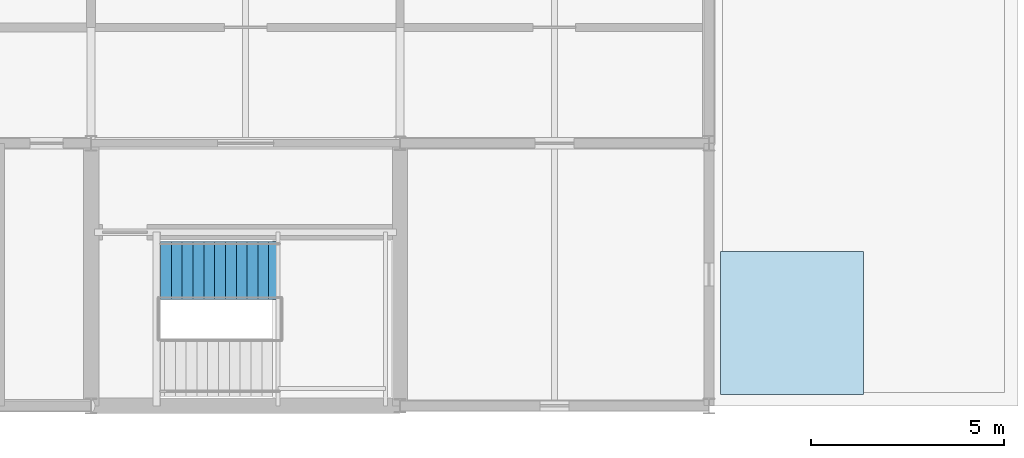
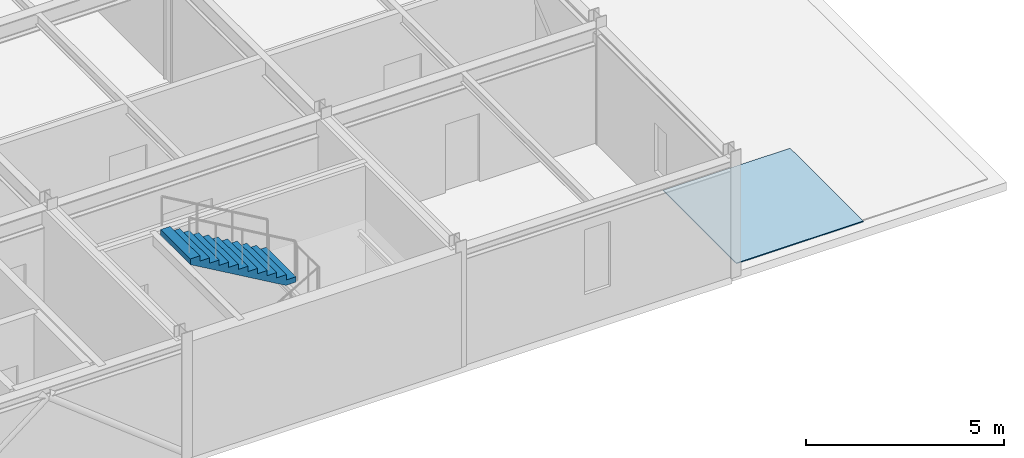
# One storey, part 11 of 12: 1 roof, 1 stair flight, 1 element without a shape of its own.
"""IFC4 building model written with IfcOpenShell, lengths in metres."""

from ifc_helpers import new_model, si_unit, direction, frame, origin, place, context, subcontext, project, spatial, polyline, outline, extrude, material, layer, layer_set, type_object, element, aggregate, save


model = new_model("IFC4")

# Units and contexts
model_context = context("Model", 3, precision=1e-05, world=origin(), true_north=direction((0.0, 1.0)))
body_context = subcontext(model_context, "Body", "Model", "MODEL_VIEW")
ifc_project = project(units=[si_unit("LENGTHUNIT", "METRE"), si_unit("AREAUNIT", "SQUARE_METRE"), si_unit("VOLUMEUNIT", "CUBIC_METRE"), si_unit("PLANEANGLEUNIT", "RADIAN"), si_unit("MASSUNIT", "GRAM", prefix="KILO")], contexts=[model_context])

# Site, building, storey
site_placement = place(None, origin())
site = spatial("IfcSite", under=ifc_project, at=site_placement, CompositionType="ELEMENT")
building_placement = place(site_placement, origin())
building = spatial("IfcBuilding", under=site, at=building_placement, Name="Shalkamar Park Central Library", CompositionType="ELEMENT")
storey_placement = place(building_placement, frame((0.0, 0.0, 56.10009765625)))
storey = spatial("IfcBuildingStorey", under=building, at=storey_placement, Name="L14", CompositionType="ELEMENT", Elevation=56.10009765625)

# Stair, stair flight
ifc_material = material(Name="Concrete C35/45", Category="concrete")
stair_type = type_object("IfcStairType", Name="Protected Dog Leg Stair 150x390", PredefinedType="TWO_STRAIGHT_RUN_STAIR", material=ifc_material)
stair_placement = place(storey_placement, origin())
stair = element("IfcStair", 1, at=stair_placement, inside=storey, type_object=stair_type, Name="Protected Core Stair ST-T2-L14", PredefinedType="TWO_STRAIGHT_RUN_STAIR")
stair_flight_type = type_object("IfcStairFlightType", Name="Straight Stair Flight 150x390", PredefinedType="STRAIGHT", material=ifc_material)
stair_flight_placement = place(storey_placement, frame((201.8798828125, 251.909912109375, 1.949951171875), z_axis=(0.0, 0.0, 1.0), x_axis=(-1.0, 0.0, 0.0)))
stair_flight = element("IfcStairFlight", 2, at=stair_flight_placement, type_object=stair_flight_type, Name="ST-T2-L14 flight 2", NumberOfRisers=12, NumberOfTreads=11, PredefinedType="STRAIGHT", RiserHeight=0.1625, TreadLength=0.28, context=body_context, shape_type="SweptSolid", body=[
    extrude(outline(polyline([(0.0, 0.0), (0.0, 0.16259765625), (0.280029296875, 0.16259765625), (0.280029296875, 0.324951171875), (0.56005859375, 0.324951171875), (0.56005859375, 0.487548828125), (0.840087890625, 0.487548828125), (0.840087890625, 0.64990234375), (1.1201171875, 0.64990234375), (1.1201171875, 0.8125), (1.39990234375, 0.8125), (1.39990234375, 0.97509765625), (1.679931640625, 0.97509765625), (1.679931640625, 1.137451171875), (1.9599609375, 1.137451171875), (1.9599609375, 1.300048828125), (2.239990234375, 1.300048828125), (2.239990234375, 1.46240234375), (2.52001953125, 1.46240234375), (2.52001953125, 1.625), (2.800048828125, 1.625), (2.800048828125, 1.78759765625), (3.080078125, 1.78759765625), (3.080078125, 1.949951171875), (3.080078125, 1.6142578125), (0.298583984375, 0.0), (0.0, 0.0)])), frame((0.0, 0.75, 0.0), z_axis=(0.0, -1.0, 0.0), x_axis=(1.0, 0.0, 0.0)), (0.0, 0.0, 1.0), 1.5),
])
aggregate(stair, [stair_flight])

# Roof
ifc_layer = layer(ifc_material, 0.239990234375)
ifc_layer_set = layer_set([ifc_layer], Name="Concrete C35/45")
roof_type = type_object("IfcRoofType", Name="Insulated Flat Roof Assembly", PredefinedType="FLAT_ROOF", material=ifc_layer_set)
roof_placement = place(storey_placement, origin())
element("IfcRoof", 3, at=roof_placement, inside=storey, type_object=roof_type, Name="Level L14 Insulated Flat Roof Assembly", PredefinedType="FLAT_ROOF", context=body_context, shape_type="SweptSolid", body=[
    extrude(outline(polyline([(213.300048828125, 248.699951171875), (217.0, 248.699951171875), (217.0, 252.39990234375), (213.300048828125, 252.39990234375), (213.300048828125, 248.699951171875)])), origin(), (0.0, 0.0, 1.0), 0.02978515625),
])

save(model, "model.ifc")
